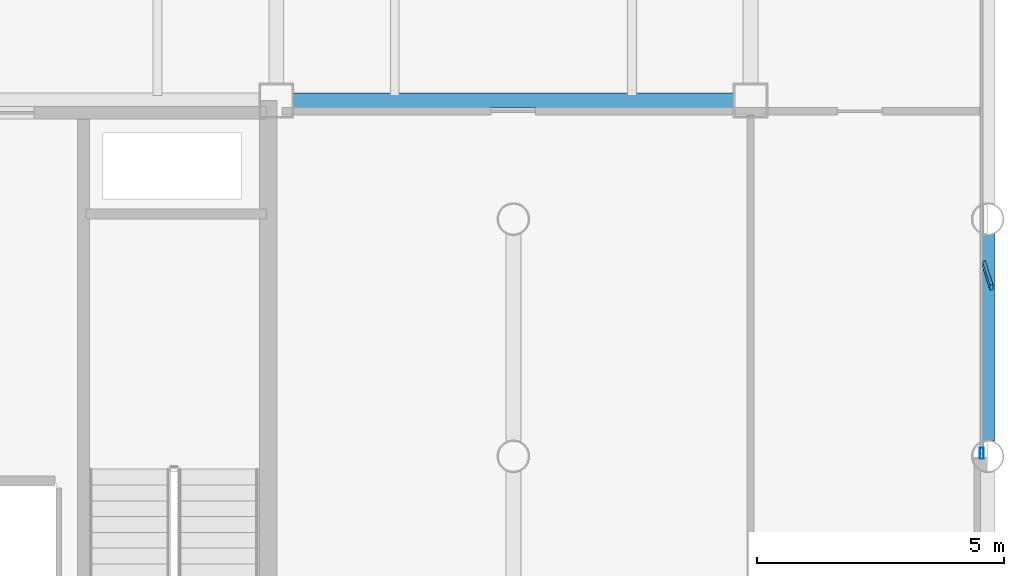
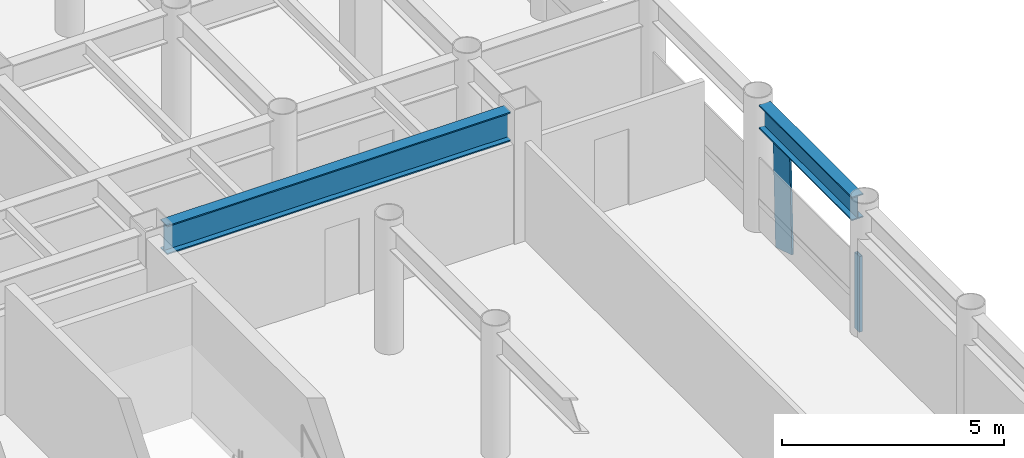
# One storey, part 8 of 19: 2 beams, 2 members, 1 element without a shape of its own.
"""IFC4 building model written with IfcOpenShell, lengths in metres."""

from ifc_helpers import new_model, si_unit, direction, frame, origin, origin_2d, place, context, subcontext, project, spatial, rectangle, hollow_rectangle, i_section, extrude, material, layer, layer_set, material_profile, profile_set, type_object, element, aggregate, save


model = new_model("IFC4")

# Units and contexts
model_context = context("Model", 3, precision=1e-05, world=origin(), true_north=direction((0.0, 1.0)))
body_context = subcontext(model_context, "Body", "Model", "MODEL_VIEW")
ifc_project = project(units=[si_unit("LENGTHUNIT", "METRE"), si_unit("AREAUNIT", "SQUARE_METRE"), si_unit("VOLUMEUNIT", "CUBIC_METRE"), si_unit("PLANEANGLEUNIT", "RADIAN"), si_unit("MASSUNIT", "GRAM", prefix="KILO")], contexts=[model_context])

# Site, building, storey
site_placement = place(None, origin())
site = spatial("IfcSite", under=ifc_project, at=site_placement, CompositionType="ELEMENT")
building_placement = place(site_placement, origin())
building = spatial("IfcBuilding", under=site, at=building_placement, Name="Kallvorn Hotel Tower", CompositionType="ELEMENT")
storey_placement = place(building_placement, frame((0.0, 0.0, 147.0)))
storey = spatial("IfcBuildingStorey", under=building, at=storey_placement, Name="L36", CompositionType="ELEMENT", Elevation=147.0)

# Beams
ifc_material_1 = material(Name="Structural steel S355JR", Category="steel")
ifc_material_profile_1 = material_profile(ifc_material_1, i_section(OverallWidth=0.300048828125, OverallDepth=0.64990234375, WebThickness=0.01611328125, FlangeThickness=0.031005859375, at=origin_2d()), Name="HE 650 B")
ifc_profile_set_1 = profile_set([ifc_material_profile_1], Name="Structural steel S355JR")
beam_type_1 = type_object("IfcBeamType", Name="BM_HE650B", PredefinedType="BEAM", material=ifc_profile_set_1)
beam_1_placement = place(storey_placement, frame((28.800048828125, 0.304931640625, 3.195068359375), z_axis=(0.0, 1.0, 0.0), x_axis=(-1.0, 0.0, 0.0)))
element("IfcBeam", 1, at=beam_1_placement, inside=storey, type_object=beam_type_1, Name="L37 Primary Y-Girder 147", PredefinedType="BEAM", context=body_context, shape_type="SweptSolid", body=[
    extrude(i_section(OverallWidth=0.300048828125, OverallDepth=0.64990234375, WebThickness=0.01611328125, FlangeThickness=0.031005859375, at=origin_2d()), origin(), (0.0, 0.0, 1.0), 4.190185546875),
])
ifc_material_2 = material(Name="Structural steel S355JR", Category="steel")
ifc_material_profile_2 = material_profile(ifc_material_2, i_section(OverallWidth=0.300048828125, OverallDepth=0.800048828125, WebThickness=0.017578125, FlangeThickness=0.032958984375, at=origin_2d()), Name="HE 800 B")
ifc_profile_set_2 = profile_set([ifc_material_profile_2], Name="Structural steel S355JR")
beam_type_2 = type_object("IfcBeamType", Name="BM_HE800B", PredefinedType="BEAM", material=ifc_profile_set_2)
beam_2_placement = place(storey_placement, frame((14.72509765625, 7.199951171875, 3.1201171875), z_axis=(1.0, 0.0, 0.0), x_axis=(0.0, 1.0, 0.0)))
element("IfcBeam", 2, at=beam_2_placement, inside=storey, type_object=beam_type_2, Name="L37 Primary X-Girder 40", PredefinedType="BEAM", context=body_context, shape_type="SweptSolid", body=[
    extrude(i_section(OverallWidth=0.300048828125, OverallDepth=0.800048828125, WebThickness=0.017578125, FlangeThickness=0.032958984375, at=origin_2d()), origin(), (0.0, 0.0, 1.0), 8.949951171875),
])

# Curtain wall, member
ifc_material_3 = material(Name="Thermally broken black-anodised aluminium AA 6063-T6", Category="aluminium")
ifc_layer = layer(ifc_material_3, 0.2099609375)
ifc_layer_set = layer_set([ifc_layer], Name="CW_SYS_4_HOTEL_MID")
curtain_wall_type = type_object("IfcCurtainWallType", Name="CW_SYS_4_HOTEL_MID", PredefinedType="USERDEFINED", material=ifc_layer_set)
curtain_wall_placement = place(storey_placement, origin())
curtain_wall = element("IfcCurtainWall", 3, at=curtain_wall_placement, inside=storey, type_object=curtain_wall_type, Name="L36 Dark-Glass Curtain Wall CW-L36-EN", ObjectType="UNITISED CURTAIN WALL", PredefinedType="USERDEFINED")
ifc_material_4 = material(Name="Thermally broken black-anodised aluminium AA 6063-T6", Category="aluminium")
ifc_material_profile_3 = material_profile(ifc_material_4, hollow_rectangle(XDim=0.080078125, YDim=0.219970703125, WallThickness=0.0048828125, at=origin_2d()), Name="MUL 220x80")
ifc_profile_set_3 = profile_set([ifc_material_profile_3], Name="Thermally broken black-anodised aluminium AA 6063-T6")
member_type_1 = type_object("IfcMemberType", Name="CW_MULLION_220x80", PredefinedType="MULLION", material=ifc_profile_set_3)
member_1_placement = place(storey_placement, frame((28.679931640625, 0.06005859375, 0.02001953125), z_axis=(0.0, 0.0, 1.0), x_axis=(1.0, 0.0, 0.0)))
member_1 = element("IfcMember", 4, at=member_1_placement, type_object=member_type_1, Name="CW-L36-EN Mullion 00", PredefinedType="MULLION", context=body_context, shape_type="SweptSolid", body=[
    extrude(hollow_rectangle(XDim=0.080078125, YDim=0.219970703125, WallThickness=0.0048828125, at=origin_2d()), origin(), (0.0, 0.0, 1.0), 2.080078125),
])
aggregate(curtain_wall, [member_1])

# Member
ifc_material_5 = material(Name="Thermally broken black-anodised aluminium AA 6063-T6", Category="aluminium")
ifc_material_profile_4 = material_profile(ifc_material_5, rectangle(XDim=0.06005859375, YDim=0.5, at=origin_2d()), Name="FIN 500x60")
ifc_profile_set_4 = profile_set([ifc_material_profile_4], Name="Thermally broken black-anodised aluminium AA 6063-T6")
member_type_2 = type_object("IfcMemberType", Name="MBR_SUNSHADE_FIN", PredefinedType="USERDEFINED", material=ifc_profile_set_4)
member_2_placement = place(storey_placement, frame((28.800048828125, 3.60009765625, 0.0), z_axis=(0.0, 0.038929297479, 0.999241967592), x_axis=(-0.951056516295, -0.308782749479, 0.0120298145)))
element("IfcMember", 5, at=member_2_placement, inside=storey, type_object=member_type_2, Name="L36 Angled Vertical Sunshade Fin E1", ObjectType="SUNSHADE FIN", PredefinedType="USERDEFINED", context=body_context, shape_type="SweptSolid", body=[
    extrude(rectangle(XDim=0.06005859375, YDim=0.5, at=origin_2d()), origin(), (0.0, 0.0, 1.0), 2.872314453125),
])

save(model, "model.ifc")
